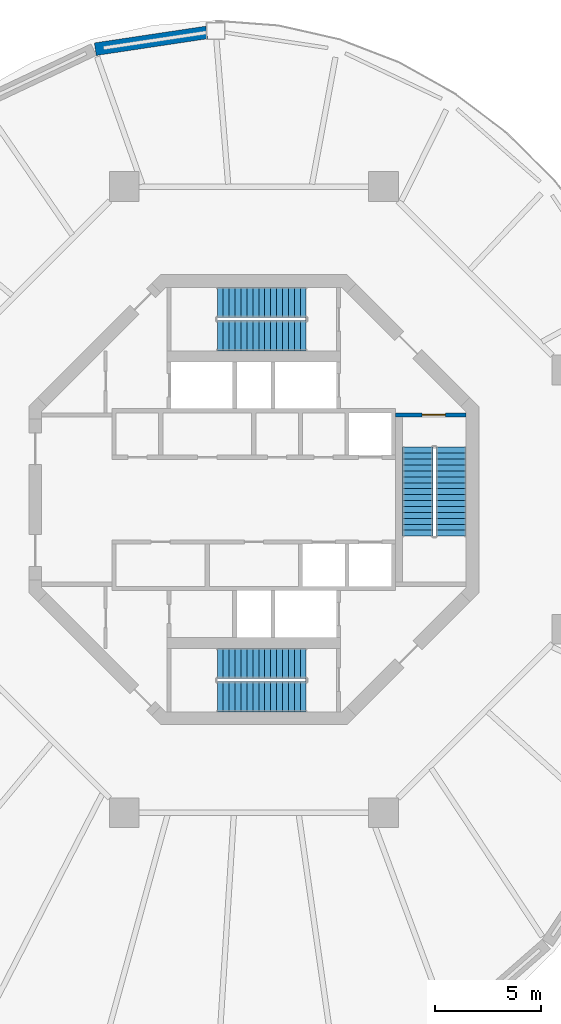
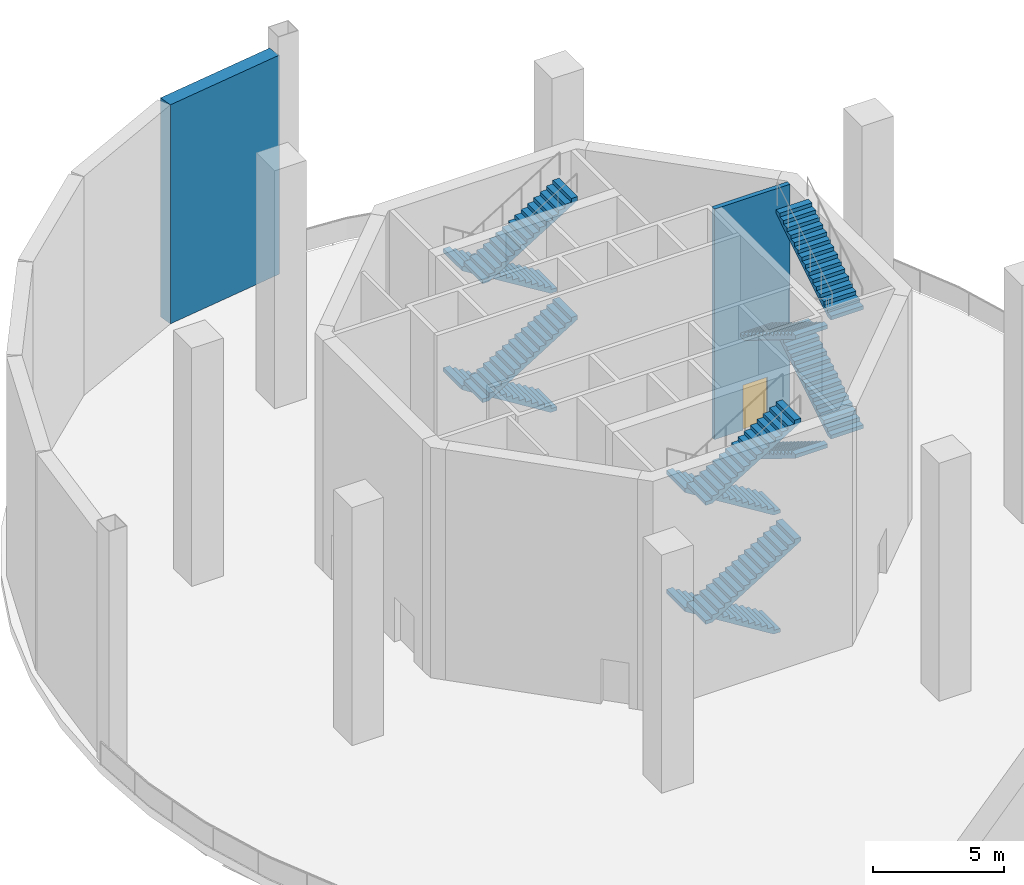
# One storey, part 4 of 7: 12 stair flights, 2 walls, 1 door, 1 opening, 3 elements without a shape of their own.
"""IFC4 building model written with IfcOpenShell, lengths in metres."""

from ifc_helpers import new_model, si_unit, direction, frame, frame_2d, origin, place, context, subcontext, project, spatial, polyline, rectangle, outline, extrude, material, layer, layer_set, type_object, element, fill, aggregate, save


model = new_model("IFC4")

# Units and contexts
model_context = context("Model", 3, precision=1e-05, world=origin(), true_north=direction((0.0, 1.0)))
body_context = subcontext(model_context, "Body", "Model", "MODEL_VIEW")
ifc_project = project(units=[si_unit("LENGTHUNIT", "METRE"), si_unit("AREAUNIT", "SQUARE_METRE"), si_unit("VOLUMEUNIT", "CUBIC_METRE"), si_unit("PLANEANGLEUNIT", "RADIAN"), si_unit("MASSUNIT", "GRAM", prefix="KILO")], contexts=[model_context])

# Site, building, storey
site_placement = place(None, origin())
site = spatial("IfcSite", under=ifc_project, at=site_placement, CompositionType="ELEMENT")
building_placement = place(site_placement, origin())
building = spatial("IfcBuilding", under=site, at=building_placement, Name="Nagisa Residences", CompositionType="ELEMENT")
storey_placement = place(building_placement, frame((0.0, 0.0, 299.199951171875)))
storey = spatial("IfcBuildingStorey", under=building, at=storey_placement, Name="L76", CompositionType="ELEMENT", Elevation=299.199951171875)

# Wall
ifc_material_1 = material(Name="Concrete C40/50", Category="concrete")
ifc_layer_1 = layer(ifc_material_1, 0.60009765625)
ifc_layer_set_1 = layer_set([ifc_layer_1], Name="PORTAL WALL 600")
wall_type_1 = type_object("IfcWallType", Name="PORTAL WALL 600", PredefinedType="SOLIDWALL", material=ifc_layer_set_1)
wall_1_placement = place(storey_placement, frame((-2.225341796875, 22.058349609375, 0.0), z_axis=(0.0, 0.0, 1.0), x_axis=(-0.988908729879, -0.148524489459, 0.0)))
element("IfcWall", 1, at=wall_1_placement, inside=storey, type_object=wall_type_1, Name="wall:L76:portal01", PredefinedType="SOLIDWALL", context=body_context, shape_type="SweptSolid", body=[
    extrude(rectangle(XDim=5.3193359375, YDim=0.60009765625, at=frame_2d((2.65966796875, 0.0))), origin(), (0.0, 0.0, 1.0), 10.215087890625),
])

# Wall, opening, door
ifc_material_2 = material(Name="Concrete C60", Category="concrete")
ifc_layer_2 = layer(ifc_material_2, 0.199951171875)
ifc_layer_set_2 = layer_set([ifc_layer_2], Name="Stair enclosure wall 200")
wall_type_2 = type_object("IfcWallType", Name="Stair enclosure wall 200", PredefinedType="SOLIDWALL", material=ifc_layer_set_2)
wall_2_placement = place(storey_placement, frame((6.699951171875, 4.0, 0.0), z_axis=(0.0, 0.0, 1.0), x_axis=(1.0, 0.0, 0.0)))
wall_2 = element("IfcWall", 2, at=wall_2_placement, inside=storey, type_object=wall_type_2, Name="wall:L76:SE_n", PredefinedType="SOLIDWALL", context=body_context, shape_type="SweptSolid", body=[
    extrude(rectangle(XDim=3.32470703125, YDim=0.199951171875, at=frame_2d((1.662353515625, 0.0))), origin(), (0.0, 0.0, 1.0), 10.75),
])
opening_placement = place(wall_2_placement, frame((1.25, 0.0, 0.0)))
opening = element("IfcOpeningElement", 3, at=opening_placement, cuts=wall_2, Name="Opening L76-C07", PredefinedType="OPENING", context=body_context, shape_type="SweptSolid", body=[
    extrude(rectangle(XDim=1.10009765625, YDim=2.10009765625, at=frame_2d((0.550048828125, 1.050048828125))), frame((0.0, 0.10986328125, 0.0), z_axis=(0.0, -1.0, 0.0), x_axis=(1.0, 0.0, 0.0)), (0.0, 0.0, 1.0), 0.219970703125),
])
ifc_material_3 = material(Name="Steel fire door", Category="steel")
door_type = type_object("IfcDoorType", Name="Fire door EI90 1100x2100 single swing", OperationType="NOTDEFINED", PredefinedType="DOOR", material=ifc_material_3)
door_placement = place(opening_placement, frame((1.10009765625, 0.0, 0.0), x_axis=(-1.0, 0.0, 0.0)))
door = element("IfcDoor", 4, at=door_placement, inside=storey, type_object=door_type, Name="Stair door ST-E L76", OperationType="SINGLE_SWING_LEFT", OverallHeight=2.10009765625, OverallWidth=1.10009765625, PredefinedType="DOOR", context=body_context, shape_type="SweptSolid", body=[
    extrude(rectangle(XDim=1.10009765625, YDim=2.10009765625, at=frame_2d((0.550048828125, 1.050048828125))), frame((0.0, 0.02490234375, 0.0), z_axis=(0.0, -1.0, 0.0), x_axis=(1.0, 0.0, 0.0)), (0.0, 0.0, 1.0), 0.050048828125),
])
fill(opening, door)

# Stair, stair flights
ifc_material_4 = material(Name="Concrete C60", Category="concrete")
stair_type = type_object("IfcStairType", Name="Exit stair", PredefinedType="HALF_TURN_STAIR", material=ifc_material_4)
stair_1_placement = place(storey_placement, origin())
stair_1 = element("IfcStair", 5, at=stair_1_placement, inside=storey, type_object=stair_type, Name="L76 Exit stair E", PredefinedType="HALF_TURN_STAIR")
ifc_material_5 = material(Name="Concrete C60", Category="concrete")
stair_flight_type = type_object("IfcStairFlightType", Name="Exit stair flight", PredefinedType="STRAIGHT", material=ifc_material_5)
stair_flight_1_placement = place(storey_placement, frame((7.737060546875, 2.47509765625, 0.0), z_axis=(0.0, 0.0, 1.0), x_axis=(0.0, -1.0, 0.0)))
stair_flight_1 = element("IfcStairFlight", 6, at=stair_flight_1_placement, type_object=stair_flight_type, Name="ST-E flight 1", NumberOfRisers=16, NumberOfTreads=15, PredefinedType="STRAIGHT", RiserHeight=0.1734375, TreadLength=0.28, context=body_context, shape_type="SweptSolid", body=[
    extrude(outline(polyline([(0.0, 0.0), (0.0, 0.17333984375), (0.280029296875, 0.17333984375), (0.280029296875, 0.346923828125), (0.56005859375, 0.346923828125), (0.56005859375, 0.520263671875), (0.840087890625, 0.520263671875), (0.840087890625, 0.69384765625), (1.1201171875, 0.69384765625), (1.1201171875, 0.8671875), (1.39990234375, 0.8671875), (1.39990234375, 1.04052734375), (1.679931640625, 1.04052734375), (1.679931640625, 1.214111328125), (1.9599609375, 1.214111328125), (1.9599609375, 1.387451171875), (2.239990234375, 1.387451171875), (2.239990234375, 1.56103515625), (2.52001953125, 1.56103515625), (2.52001953125, 1.734375), (2.800048828125, 1.734375), (2.800048828125, 1.90771484375), (3.080078125, 1.90771484375), (3.080078125, 2.081298828125), (3.360107421875, 2.081298828125), (3.360107421875, 2.254638671875), (3.639892578125, 2.254638671875), (3.639892578125, 2.42822265625), (3.919921875, 2.42822265625), (3.919921875, 2.6015625), (4.199951171875, 2.6015625), (4.199951171875, 2.77490234375), (4.199951171875, 2.42529296875), (0.28466796875, 0.0), (0.0, 0.0)])), frame((0.0, 0.71240234375, 0.0), z_axis=(0.0, -1.0, 0.0), x_axis=(1.0, 0.0, 0.0)), (0.0, 0.0, 1.0), 1.425048828125),
])
stair_flight_2_placement = place(storey_placement, frame((9.31201171875, -1.72509765625, 2.775146484375), z_axis=(0.0, 0.0, 1.0), x_axis=(0.0, 1.0, 0.0)))
stair_flight_2 = element("IfcStairFlight", 7, at=stair_flight_2_placement, type_object=stair_flight_type, Name="ST-E flight 2", NumberOfRisers=16, NumberOfTreads=15, PredefinedType="STRAIGHT", RiserHeight=0.1734375, TreadLength=0.28, context=body_context, shape_type="SweptSolid", body=[
    extrude(outline(polyline([(0.0, 0.0), (0.0, 0.17333984375), (0.280029296875, 0.17333984375), (0.280029296875, 0.346923828125), (0.56005859375, 0.346923828125), (0.56005859375, 0.520263671875), (0.840087890625, 0.520263671875), (0.840087890625, 0.69384765625), (1.1201171875, 0.69384765625), (1.1201171875, 0.8671875), (1.39990234375, 0.8671875), (1.39990234375, 1.04052734375), (1.679931640625, 1.04052734375), (1.679931640625, 1.214111328125), (1.9599609375, 1.214111328125), (1.9599609375, 1.387451171875), (2.239990234375, 1.387451171875), (2.239990234375, 1.56103515625), (2.52001953125, 1.56103515625), (2.52001953125, 1.734375), (2.800048828125, 1.734375), (2.800048828125, 1.90771484375), (3.080078125, 1.90771484375), (3.080078125, 2.081298828125), (3.360107421875, 2.081298828125), (3.360107421875, 2.254638671875), (3.639892578125, 2.254638671875), (3.639892578125, 2.42822265625), (3.919921875, 2.42822265625), (3.919921875, 2.6015625), (4.199951171875, 2.6015625), (4.199951171875, 2.77490234375), (4.199951171875, 2.42529296875), (0.28466796875, 0.0), (0.0, 0.0)])), frame((0.0, 0.71240234375, 0.0), z_axis=(0.0, -1.0, 0.0), x_axis=(1.0, 0.0, 0.0)), (0.0, 0.0, 1.0), 1.425048828125),
])
stair_flight_3_placement = place(storey_placement, frame((7.737060546875, 2.47509765625, 5.550048828125), z_axis=(0.0, 0.0, 1.0), x_axis=(0.0, -1.0, 0.0)))
stair_flight_3 = element("IfcStairFlight", 8, at=stair_flight_3_placement, type_object=stair_flight_type, Name="ST-E flight 3", NumberOfRisers=16, NumberOfTreads=15, PredefinedType="STRAIGHT", RiserHeight=0.1734375, TreadLength=0.28, context=body_context, shape_type="SweptSolid", body=[
    extrude(outline(polyline([(0.0, 0.0), (0.0, 0.17333984375), (0.280029296875, 0.17333984375), (0.280029296875, 0.346923828125), (0.56005859375, 0.346923828125), (0.56005859375, 0.520263671875), (0.840087890625, 0.520263671875), (0.840087890625, 0.69384765625), (1.1201171875, 0.69384765625), (1.1201171875, 0.8671875), (1.39990234375, 0.8671875), (1.39990234375, 1.04052734375), (1.679931640625, 1.04052734375), (1.679931640625, 1.214111328125), (1.9599609375, 1.214111328125), (1.9599609375, 1.387451171875), (2.239990234375, 1.387451171875), (2.239990234375, 1.56103515625), (2.52001953125, 1.56103515625), (2.52001953125, 1.734375), (2.800048828125, 1.734375), (2.800048828125, 1.90771484375), (3.080078125, 1.90771484375), (3.080078125, 2.081298828125), (3.360107421875, 2.081298828125), (3.360107421875, 2.254638671875), (3.639892578125, 2.254638671875), (3.639892578125, 2.42822265625), (3.919921875, 2.42822265625), (3.919921875, 2.6015625), (4.199951171875, 2.6015625), (4.199951171875, 2.77490234375), (4.199951171875, 2.42529296875), (0.28466796875, 0.0), (0.0, 0.0)])), frame((0.0, 0.71240234375, 0.0), z_axis=(0.0, -1.0, 0.0), x_axis=(1.0, 0.0, 0.0)), (0.0, 0.0, 1.0), 1.425048828125),
])
stair_flight_4_placement = place(storey_placement, frame((9.31201171875, -1.72509765625, 8.324951171875), z_axis=(0.0, 0.0, 1.0), x_axis=(0.0, 1.0, 0.0)))
stair_flight_4 = element("IfcStairFlight", 9, at=stair_flight_4_placement, type_object=stair_flight_type, Name="ST-E flight 4", NumberOfRisers=16, NumberOfTreads=15, PredefinedType="STRAIGHT", RiserHeight=0.1734375, TreadLength=0.28, context=body_context, shape_type="SweptSolid", body=[
    extrude(outline(polyline([(0.0, 0.0), (0.0, 0.17333984375), (0.280029296875, 0.17333984375), (0.280029296875, 0.346923828125), (0.56005859375, 0.346923828125), (0.56005859375, 0.520263671875), (0.840087890625, 0.520263671875), (0.840087890625, 0.69384765625), (1.1201171875, 0.69384765625), (1.1201171875, 0.8671875), (1.39990234375, 0.8671875), (1.39990234375, 1.04052734375), (1.679931640625, 1.04052734375), (1.679931640625, 1.214111328125), (1.9599609375, 1.214111328125), (1.9599609375, 1.387451171875), (2.239990234375, 1.387451171875), (2.239990234375, 1.56103515625), (2.52001953125, 1.56103515625), (2.52001953125, 1.734375), (2.800048828125, 1.734375), (2.800048828125, 1.90771484375), (3.080078125, 1.90771484375), (3.080078125, 2.081298828125), (3.360107421875, 2.081298828125), (3.360107421875, 2.254638671875), (3.639892578125, 2.254638671875), (3.639892578125, 2.42822265625), (3.919921875, 2.42822265625), (3.919921875, 2.6015625), (4.199951171875, 2.6015625), (4.199951171875, 2.77490234375), (4.199951171875, 2.42529296875), (0.28466796875, 0.0), (0.0, 0.0)])), frame((0.0, 0.71240234375, 0.0), z_axis=(0.0, -1.0, 0.0), x_axis=(1.0, 0.0, 0.0)), (0.0, 0.0, 1.0), 1.425048828125),
])
aggregate(stair_1, [stair_flight_1, stair_flight_2, stair_flight_3, stair_flight_4])

stair_2_placement = place(storey_placement, origin())
stair_2 = element("IfcStair", 10, at=stair_2_placement, inside=storey, type_object=stair_type, Name="L76 Exit stair N", PredefinedType="HALF_TURN_STAIR")
stair_flight_5_placement = place(storey_placement, frame((2.47509765625, 9.31201171875, 0.0), z_axis=(0.0, 0.0, 1.0), x_axis=(-1.0, 0.0, 0.0)))
stair_flight_5 = element("IfcStairFlight", 11, at=stair_flight_5_placement, type_object=stair_flight_type, Name="ST-N flight 1", NumberOfRisers=16, NumberOfTreads=15, PredefinedType="STRAIGHT", RiserHeight=0.1734375, TreadLength=0.28, context=body_context, shape_type="SweptSolid", body=[
    extrude(outline(polyline([(0.0, 0.0), (0.0, 0.17333984375), (0.280029296875, 0.17333984375), (0.280029296875, 0.346923828125), (0.56005859375, 0.346923828125), (0.56005859375, 0.520263671875), (0.840087890625, 0.520263671875), (0.840087890625, 0.69384765625), (1.1201171875, 0.69384765625), (1.1201171875, 0.8671875), (1.39990234375, 0.8671875), (1.39990234375, 1.04052734375), (1.679931640625, 1.04052734375), (1.679931640625, 1.214111328125), (1.9599609375, 1.214111328125), (1.9599609375, 1.387451171875), (2.239990234375, 1.387451171875), (2.239990234375, 1.56103515625), (2.52001953125, 1.56103515625), (2.52001953125, 1.734375), (2.800048828125, 1.734375), (2.800048828125, 1.90771484375), (3.080078125, 1.90771484375), (3.080078125, 2.081298828125), (3.360107421875, 2.081298828125), (3.360107421875, 2.254638671875), (3.639892578125, 2.254638671875), (3.639892578125, 2.42822265625), (3.919921875, 2.42822265625), (3.919921875, 2.6015625), (4.199951171875, 2.6015625), (4.199951171875, 2.77490234375), (4.199951171875, 2.42529296875), (0.28466796875, 0.0), (0.0, 0.0)])), frame((0.0, 0.71240234375, 0.0), z_axis=(0.0, -1.0, 0.0), x_axis=(1.0, 0.0, 0.0)), (0.0, 0.0, 1.0), 1.425048828125),
])
stair_flight_6_placement = place(storey_placement, frame((-1.72509765625, 7.737060546875, 2.775146484375), z_axis=(0.0, 0.0, 1.0), x_axis=(1.0, 0.0, 0.0)))
stair_flight_6 = element("IfcStairFlight", 12, at=stair_flight_6_placement, type_object=stair_flight_type, Name="ST-N flight 2", NumberOfRisers=16, NumberOfTreads=15, PredefinedType="STRAIGHT", RiserHeight=0.1734375, TreadLength=0.28, context=body_context, shape_type="SweptSolid", body=[
    extrude(outline(polyline([(0.0, 0.0), (0.0, 0.17333984375), (0.280029296875, 0.17333984375), (0.280029296875, 0.346923828125), (0.56005859375, 0.346923828125), (0.56005859375, 0.520263671875), (0.840087890625, 0.520263671875), (0.840087890625, 0.69384765625), (1.1201171875, 0.69384765625), (1.1201171875, 0.8671875), (1.39990234375, 0.8671875), (1.39990234375, 1.04052734375), (1.679931640625, 1.04052734375), (1.679931640625, 1.214111328125), (1.9599609375, 1.214111328125), (1.9599609375, 1.387451171875), (2.239990234375, 1.387451171875), (2.239990234375, 1.56103515625), (2.52001953125, 1.56103515625), (2.52001953125, 1.734375), (2.800048828125, 1.734375), (2.800048828125, 1.90771484375), (3.080078125, 1.90771484375), (3.080078125, 2.081298828125), (3.360107421875, 2.081298828125), (3.360107421875, 2.254638671875), (3.639892578125, 2.254638671875), (3.639892578125, 2.42822265625), (3.919921875, 2.42822265625), (3.919921875, 2.6015625), (4.199951171875, 2.6015625), (4.199951171875, 2.77490234375), (4.199951171875, 2.42529296875), (0.28466796875, 0.0), (0.0, 0.0)])), frame((0.0, 0.71240234375, 0.0), z_axis=(0.0, -1.0, 0.0), x_axis=(1.0, 0.0, 0.0)), (0.0, 0.0, 1.0), 1.425048828125),
])
stair_flight_7_placement = place(storey_placement, frame((2.47509765625, 9.31201171875, 5.550048828125), z_axis=(0.0, 0.0, 1.0), x_axis=(-1.0, 0.0, 0.0)))
stair_flight_7 = element("IfcStairFlight", 13, at=stair_flight_7_placement, type_object=stair_flight_type, Name="ST-N flight 3", NumberOfRisers=16, NumberOfTreads=15, PredefinedType="STRAIGHT", RiserHeight=0.1734375, TreadLength=0.28, context=body_context, shape_type="SweptSolid", body=[
    extrude(outline(polyline([(0.0, 0.0), (0.0, 0.17333984375), (0.280029296875, 0.17333984375), (0.280029296875, 0.346923828125), (0.56005859375, 0.346923828125), (0.56005859375, 0.520263671875), (0.840087890625, 0.520263671875), (0.840087890625, 0.69384765625), (1.1201171875, 0.69384765625), (1.1201171875, 0.8671875), (1.39990234375, 0.8671875), (1.39990234375, 1.04052734375), (1.679931640625, 1.04052734375), (1.679931640625, 1.214111328125), (1.9599609375, 1.214111328125), (1.9599609375, 1.387451171875), (2.239990234375, 1.387451171875), (2.239990234375, 1.56103515625), (2.52001953125, 1.56103515625), (2.52001953125, 1.734375), (2.800048828125, 1.734375), (2.800048828125, 1.90771484375), (3.080078125, 1.90771484375), (3.080078125, 2.081298828125), (3.360107421875, 2.081298828125), (3.360107421875, 2.254638671875), (3.639892578125, 2.254638671875), (3.639892578125, 2.42822265625), (3.919921875, 2.42822265625), (3.919921875, 2.6015625), (4.199951171875, 2.6015625), (4.199951171875, 2.77490234375), (4.199951171875, 2.42529296875), (0.28466796875, 0.0), (0.0, 0.0)])), frame((0.0, 0.71240234375, 0.0), z_axis=(0.0, -1.0, 0.0), x_axis=(1.0, 0.0, 0.0)), (0.0, 0.0, 1.0), 1.425048828125),
])
stair_flight_8_placement = place(storey_placement, frame((-1.72509765625, 7.737060546875, 8.324951171875), z_axis=(0.0, 0.0, 1.0), x_axis=(1.0, 0.0, 0.0)))
stair_flight_8 = element("IfcStairFlight", 14, at=stair_flight_8_placement, type_object=stair_flight_type, Name="ST-N flight 4", NumberOfRisers=16, NumberOfTreads=15, PredefinedType="STRAIGHT", RiserHeight=0.1734375, TreadLength=0.28, context=body_context, shape_type="SweptSolid", body=[
    extrude(outline(polyline([(0.0, 0.0), (0.0, 0.17333984375), (0.280029296875, 0.17333984375), (0.280029296875, 0.346923828125), (0.56005859375, 0.346923828125), (0.56005859375, 0.520263671875), (0.840087890625, 0.520263671875), (0.840087890625, 0.69384765625), (1.1201171875, 0.69384765625), (1.1201171875, 0.8671875), (1.39990234375, 0.8671875), (1.39990234375, 1.04052734375), (1.679931640625, 1.04052734375), (1.679931640625, 1.214111328125), (1.9599609375, 1.214111328125), (1.9599609375, 1.387451171875), (2.239990234375, 1.387451171875), (2.239990234375, 1.56103515625), (2.52001953125, 1.56103515625), (2.52001953125, 1.734375), (2.800048828125, 1.734375), (2.800048828125, 1.90771484375), (3.080078125, 1.90771484375), (3.080078125, 2.081298828125), (3.360107421875, 2.081298828125), (3.360107421875, 2.254638671875), (3.639892578125, 2.254638671875), (3.639892578125, 2.42822265625), (3.919921875, 2.42822265625), (3.919921875, 2.6015625), (4.199951171875, 2.6015625), (4.199951171875, 2.77490234375), (4.199951171875, 2.42529296875), (0.28466796875, 0.0), (0.0, 0.0)])), frame((0.0, 0.71240234375, 0.0), z_axis=(0.0, -1.0, 0.0), x_axis=(1.0, 0.0, 0.0)), (0.0, 0.0, 1.0), 1.425048828125),
])
aggregate(stair_2, [stair_flight_5, stair_flight_6, stair_flight_7, stair_flight_8])

stair_3_placement = place(storey_placement, origin())
stair_3 = element("IfcStair", 15, at=stair_3_placement, inside=storey, type_object=stair_type, Name="L76 Exit stair S", PredefinedType="HALF_TURN_STAIR")
stair_flight_9_placement = place(storey_placement, frame((2.47509765625, -7.737060546875, 0.0), z_axis=(0.0, 0.0, 1.0), x_axis=(-1.0, 0.0, 0.0)))
stair_flight_9 = element("IfcStairFlight", 16, at=stair_flight_9_placement, type_object=stair_flight_type, Name="ST-S flight 1", NumberOfRisers=16, NumberOfTreads=15, PredefinedType="STRAIGHT", RiserHeight=0.1734375, TreadLength=0.28, context=body_context, shape_type="SweptSolid", body=[
    extrude(outline(polyline([(0.0, 0.0), (0.0, 0.17333984375), (0.280029296875, 0.17333984375), (0.280029296875, 0.346923828125), (0.56005859375, 0.346923828125), (0.56005859375, 0.520263671875), (0.840087890625, 0.520263671875), (0.840087890625, 0.69384765625), (1.1201171875, 0.69384765625), (1.1201171875, 0.8671875), (1.39990234375, 0.8671875), (1.39990234375, 1.04052734375), (1.679931640625, 1.04052734375), (1.679931640625, 1.214111328125), (1.9599609375, 1.214111328125), (1.9599609375, 1.387451171875), (2.239990234375, 1.387451171875), (2.239990234375, 1.56103515625), (2.52001953125, 1.56103515625), (2.52001953125, 1.734375), (2.800048828125, 1.734375), (2.800048828125, 1.90771484375), (3.080078125, 1.90771484375), (3.080078125, 2.081298828125), (3.360107421875, 2.081298828125), (3.360107421875, 2.254638671875), (3.639892578125, 2.254638671875), (3.639892578125, 2.42822265625), (3.919921875, 2.42822265625), (3.919921875, 2.6015625), (4.199951171875, 2.6015625), (4.199951171875, 2.77490234375), (4.199951171875, 2.42529296875), (0.28466796875, 0.0), (0.0, 0.0)])), frame((0.0, 0.71240234375, 0.0), z_axis=(0.0, -1.0, 0.0), x_axis=(1.0, 0.0, 0.0)), (0.0, 0.0, 1.0), 1.425048828125),
])
stair_flight_10_placement = place(storey_placement, frame((-1.72509765625, -9.31201171875, 2.775146484375), z_axis=(0.0, 0.0, 1.0), x_axis=(1.0, 0.0, 0.0)))
stair_flight_10 = element("IfcStairFlight", 17, at=stair_flight_10_placement, type_object=stair_flight_type, Name="ST-S flight 2", NumberOfRisers=16, NumberOfTreads=15, PredefinedType="STRAIGHT", RiserHeight=0.1734375, TreadLength=0.28, context=body_context, shape_type="SweptSolid", body=[
    extrude(outline(polyline([(0.0, 0.0), (0.0, 0.17333984375), (0.280029296875, 0.17333984375), (0.280029296875, 0.346923828125), (0.56005859375, 0.346923828125), (0.56005859375, 0.520263671875), (0.840087890625, 0.520263671875), (0.840087890625, 0.69384765625), (1.1201171875, 0.69384765625), (1.1201171875, 0.8671875), (1.39990234375, 0.8671875), (1.39990234375, 1.04052734375), (1.679931640625, 1.04052734375), (1.679931640625, 1.214111328125), (1.9599609375, 1.214111328125), (1.9599609375, 1.387451171875), (2.239990234375, 1.387451171875), (2.239990234375, 1.56103515625), (2.52001953125, 1.56103515625), (2.52001953125, 1.734375), (2.800048828125, 1.734375), (2.800048828125, 1.90771484375), (3.080078125, 1.90771484375), (3.080078125, 2.081298828125), (3.360107421875, 2.081298828125), (3.360107421875, 2.254638671875), (3.639892578125, 2.254638671875), (3.639892578125, 2.42822265625), (3.919921875, 2.42822265625), (3.919921875, 2.6015625), (4.199951171875, 2.6015625), (4.199951171875, 2.77490234375), (4.199951171875, 2.42529296875), (0.28466796875, 0.0), (0.0, 0.0)])), frame((0.0, 0.71240234375, 0.0), z_axis=(0.0, -1.0, 0.0), x_axis=(1.0, 0.0, 0.0)), (0.0, 0.0, 1.0), 1.425048828125),
])
stair_flight_11_placement = place(storey_placement, frame((2.47509765625, -7.737060546875, 5.550048828125), z_axis=(0.0, 0.0, 1.0), x_axis=(-1.0, 0.0, 0.0)))
stair_flight_11 = element("IfcStairFlight", 18, at=stair_flight_11_placement, type_object=stair_flight_type, Name="ST-S flight 3", NumberOfRisers=16, NumberOfTreads=15, PredefinedType="STRAIGHT", RiserHeight=0.1734375, TreadLength=0.28, context=body_context, shape_type="SweptSolid", body=[
    extrude(outline(polyline([(0.0, 0.0), (0.0, 0.17333984375), (0.280029296875, 0.17333984375), (0.280029296875, 0.346923828125), (0.56005859375, 0.346923828125), (0.56005859375, 0.520263671875), (0.840087890625, 0.520263671875), (0.840087890625, 0.69384765625), (1.1201171875, 0.69384765625), (1.1201171875, 0.8671875), (1.39990234375, 0.8671875), (1.39990234375, 1.04052734375), (1.679931640625, 1.04052734375), (1.679931640625, 1.214111328125), (1.9599609375, 1.214111328125), (1.9599609375, 1.387451171875), (2.239990234375, 1.387451171875), (2.239990234375, 1.56103515625), (2.52001953125, 1.56103515625), (2.52001953125, 1.734375), (2.800048828125, 1.734375), (2.800048828125, 1.90771484375), (3.080078125, 1.90771484375), (3.080078125, 2.081298828125), (3.360107421875, 2.081298828125), (3.360107421875, 2.254638671875), (3.639892578125, 2.254638671875), (3.639892578125, 2.42822265625), (3.919921875, 2.42822265625), (3.919921875, 2.6015625), (4.199951171875, 2.6015625), (4.199951171875, 2.77490234375), (4.199951171875, 2.42529296875), (0.28466796875, 0.0), (0.0, 0.0)])), frame((0.0, 0.71240234375, 0.0), z_axis=(0.0, -1.0, 0.0), x_axis=(1.0, 0.0, 0.0)), (0.0, 0.0, 1.0), 1.425048828125),
])
stair_flight_12_placement = place(storey_placement, frame((-1.72509765625, -9.31201171875, 8.324951171875), z_axis=(0.0, 0.0, 1.0), x_axis=(1.0, 0.0, 0.0)))
stair_flight_12 = element("IfcStairFlight", 19, at=stair_flight_12_placement, type_object=stair_flight_type, Name="ST-S flight 4", NumberOfRisers=16, NumberOfTreads=15, PredefinedType="STRAIGHT", RiserHeight=0.1734375, TreadLength=0.28, context=body_context, shape_type="SweptSolid", body=[
    extrude(outline(polyline([(0.0, 0.0), (0.0, 0.17333984375), (0.280029296875, 0.17333984375), (0.280029296875, 0.346923828125), (0.56005859375, 0.346923828125), (0.56005859375, 0.520263671875), (0.840087890625, 0.520263671875), (0.840087890625, 0.69384765625), (1.1201171875, 0.69384765625), (1.1201171875, 0.8671875), (1.39990234375, 0.8671875), (1.39990234375, 1.04052734375), (1.679931640625, 1.04052734375), (1.679931640625, 1.214111328125), (1.9599609375, 1.214111328125), (1.9599609375, 1.387451171875), (2.239990234375, 1.387451171875), (2.239990234375, 1.56103515625), (2.52001953125, 1.56103515625), (2.52001953125, 1.734375), (2.800048828125, 1.734375), (2.800048828125, 1.90771484375), (3.080078125, 1.90771484375), (3.080078125, 2.081298828125), (3.360107421875, 2.081298828125), (3.360107421875, 2.254638671875), (3.639892578125, 2.254638671875), (3.639892578125, 2.42822265625), (3.919921875, 2.42822265625), (3.919921875, 2.6015625), (4.199951171875, 2.6015625), (4.199951171875, 2.77490234375), (4.199951171875, 2.42529296875), (0.28466796875, 0.0), (0.0, 0.0)])), frame((0.0, 0.71240234375, 0.0), z_axis=(0.0, -1.0, 0.0), x_axis=(1.0, 0.0, 0.0)), (0.0, 0.0, 1.0), 1.425048828125),
])
aggregate(stair_3, [stair_flight_9, stair_flight_10, stair_flight_11, stair_flight_12])

save(model, "model.ifc")
